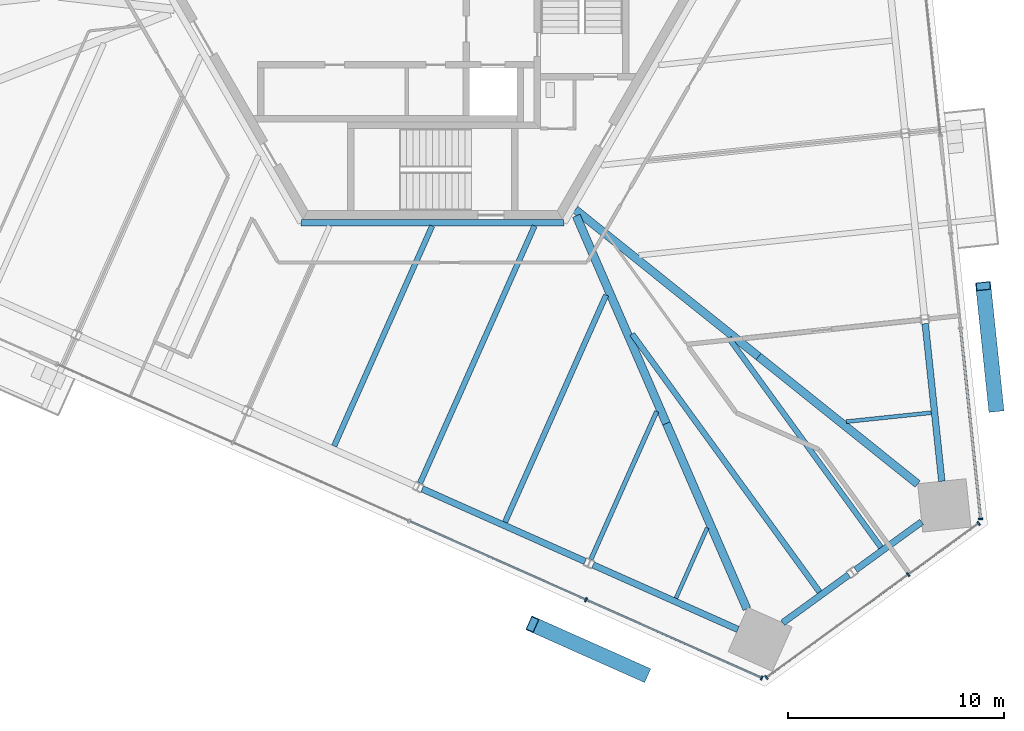
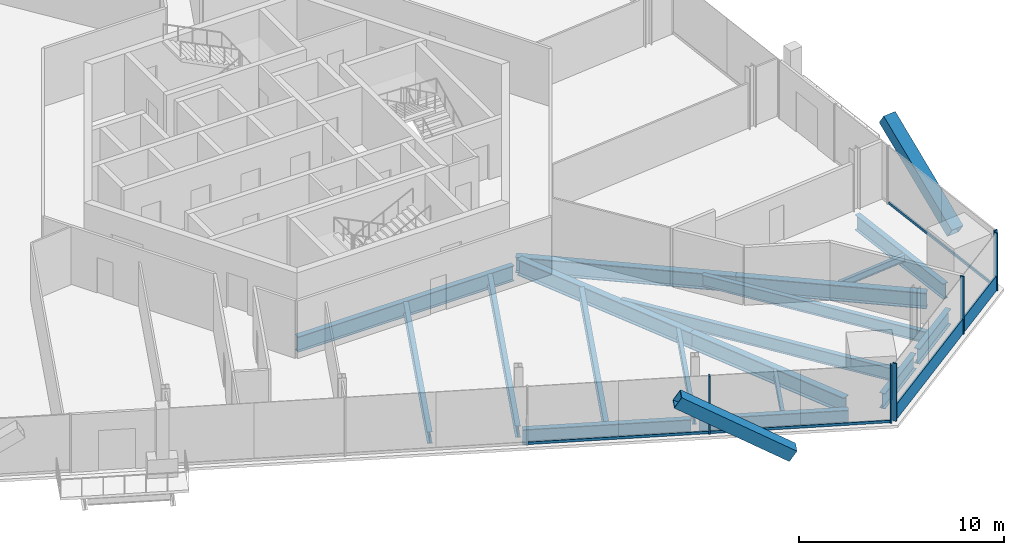
# One storey, part 5 of 17: 18 beams, 13 members, 3 elements without a shape of their own.
"""IFC4 building model written with IfcOpenShell, lengths in metres."""

from ifc_helpers import new_model, si_unit, direction, frame, origin, origin_2d, place, context, subcontext, project, spatial, rectangle, hollow_rectangle, i_section, extrude, source, transform, mapped, material, material_profile, profile_set, type_object, element, aggregate, save


model = new_model("IFC4")

# Units and contexts
model_context = context("Model", 3, precision=1e-05, world=origin(), true_north=direction((0.0, 1.0)))
body_context = subcontext(model_context, "Body", "Model", "MODEL_VIEW")
ifc_project = project(units=[si_unit("LENGTHUNIT", "METRE"), si_unit("AREAUNIT", "SQUARE_METRE"), si_unit("VOLUMEUNIT", "CUBIC_METRE"), si_unit("PLANEANGLEUNIT", "RADIAN"), si_unit("MASSUNIT", "GRAM", prefix="KILO")], contexts=[model_context])

# Site, building, storey
site_placement = place(None, origin())
site = spatial("IfcSite", under=ifc_project, at=site_placement, CompositionType="ELEMENT")
building_placement = place(site_placement, origin())
building = spatial("IfcBuilding", under=site, at=building_placement, Name="Triune Harvest Tower", CompositionType="ELEMENT")
storey_placement = place(building_placement, frame((0.0, 0.0, 62.10009765625)))
storey = spatial("IfcBuildingStorey", under=building, at=storey_placement, Name="L14", CompositionType="ELEMENT", Elevation=62.10009765625)

# Beams
ifc_material_1 = material(Name="Steel ASTM A992 Gr 50", Category="steel")
ifc_material_profile_1 = material_profile(ifc_material_1, i_section(OverallWidth=0.3046875, OverallDepth=0.914306640625, WebThickness=0.0166015625, FlangeThickness=0.02587890625, at=origin_2d()), Name="W36x160")
ifc_profile_set_1 = profile_set([ifc_material_profile_1], Name="Steel ASTM A992 Gr 50")
beam_type_1 = type_object("IfcBeamType", Name="CG-1 Core ring girder W36x160", PredefinedType="BEAM", material=ifc_profile_set_1)
shared_shape_1 = source(origin(), body_context, "Body", "SweptSolid", [
    extrude(i_section(OverallWidth=0.3046875, OverallDepth=0.914306640625, WebThickness=0.0166015625, FlangeThickness=0.02587890625, at=origin_2d()), origin(), (0.0, 0.0, 1.0), 12.17578125),
])
beam_1_placement = place(storey_placement, frame((-6.087890625, -10.544677734375, -0.6171875), z_axis=(1.0, 0.0, 0.0), x_axis=(0.0, 1.0, 0.0)))
element("IfcBeam", 1, at=beam_1_placement, inside=storey, type_object=beam_type_1, Name="beam/L14/CG5", PredefinedType="BEAM", context=body_context, shape_type="MappedRepresentation", body=[
    mapped(shared_shape_1, transform((0.0, 0.0, 0.0), scale=1.0)),
])
ifc_material_2 = material(Name="Steel ASTM A992 Gr 50", Category="steel")
ifc_material_profile_2 = material_profile(ifc_material_2, i_section(OverallWidth=0.383544921875, OverallDepth=0.9423828125, WebThickness=0.022216796875, FlangeThickness=0.039794921875, at=origin_2d()), Name="W36x232")
ifc_profile_set_2 = profile_set([ifc_material_profile_2], Name="Steel ASTM A992 Gr 50")
beam_type_2 = type_object("IfcBeamType", Name="HG-1 Hip girder W36x232", PredefinedType="BEAM", material=ifc_profile_set_2)
shared_shape_2 = source(origin(), body_context, "Body", "SweptSolid", [
    extrude(i_section(OverallWidth=0.383544921875, OverallDepth=0.9423828125, WebThickness=0.022216796875, FlangeThickness=0.039794921875, at=origin_2d()), origin(), (0.0, 0.0, 1.0), 10.8701171875),
])
beam_2_placement = place(storey_placement, frame((15.0908203125, -16.745849609375, -0.63134765625), z_axis=(-0.780344837212, 0.625349450337, 0.0), x_axis=(-0.625349450337, -0.780344837212, 0.0)))
element("IfcBeam", 2, at=beam_2_placement, inside=storey, type_object=beam_type_2, Name="beam/L14/HG2", PredefinedType="BEAM", context=body_context, shape_type="MappedRepresentation", body=[
    mapped(shared_shape_2, transform((0.0, 0.0, 0.0), scale=1.0)),
])
shared_shape_3 = source(origin(), body_context, "Body", "SweptSolid", [
    extrude(i_section(OverallWidth=0.383544921875, OverallDepth=0.9423828125, WebThickness=0.022216796875, FlangeThickness=0.039794921875, at=origin_2d()), origin(), (0.0, 0.0, 1.0), 10.48291015625),
])
beam_3_placement = place(storey_placement, frame((10.824462890625, -19.84521484375, -0.63134765625), z_axis=(-0.39806686292, 0.917356404374, 0.0), x_axis=(-0.917356404374, -0.39806686292, 0.0)))
element("IfcBeam", 3, at=beam_3_placement, inside=storey, type_object=beam_type_2, Name="beam/L14/HG8", PredefinedType="BEAM", context=body_context, shape_type="MappedRepresentation", body=[
    mapped(shared_shape_3, transform((0.0, 0.0, 0.0), scale=1.0)),
])
ifc_material_3 = material(Name="Steel ASTM A992 Gr 50", Category="steel")
ifc_material_profile_3 = material_profile(ifc_material_3, i_section(OverallWidth=0.3046875, OverallDepth=0.914306640625, WebThickness=0.0166015625, FlangeThickness=0.02587890625, at=origin_2d()), Name="W36x160")
ifc_profile_set_3 = profile_set([ifc_material_profile_3], Name="Steel ASTM A992 Gr 50")
beam_type_3 = type_object("IfcBeamType", Name="SB-1 Spandrel beam W36x160", PredefinedType="SPANDREL", material=ifc_profile_set_3)
shared_shape_4 = source(origin(), body_context, "Body", "SweptSolid", [
    extrude(i_section(OverallWidth=0.3046875, OverallDepth=0.914306640625, WebThickness=0.0166015625, FlangeThickness=0.02587890625, at=origin_2d()), origin(), (0.0, 0.0, 1.0), 7.337890625),
])
for number, where, z_axis, x_axis, name in (
    (4, (23.57568359375, -22.520751953125, -0.6171875), (-0.104539300002, 0.994520756322, 0.0), (-0.994520756322, -0.104539300002, 0.0), "beam/L14/SB1"),
    (5, (7.4296875, -26.396484375, -0.6171875), (0.913546560881, -0.406734165153, 0.0), (0.406734165153, 0.913546560881, 0.0), "beam/L14/SB22"),
):
    element("IfcBeam", number, at=place(storey_placement, frame(where, z_axis=z_axis, x_axis=x_axis)), inside=storey, type_object=beam_type_3, Name=name, PredefinedType="SPANDREL", context=body_context, shape_type="MappedRepresentation", body=[
        mapped(shared_shape_4, transform((0.0, 0.0, 0.0), scale=1.0)),
    ])
shared_shape_5 = source(origin(), body_context, "Body", "SweptSolid", [
    extrude(i_section(OverallWidth=0.3046875, OverallDepth=0.914306640625, WebThickness=0.0166015625, FlangeThickness=0.02587890625, at=origin_2d()), origin(), (0.0, 0.0, 1.0), 8.263427734375),
])
beam_4_placement = place(storey_placement, frame((-0.483642578125, -22.873291015625, -0.6171875), z_axis=(0.913544537455, -0.406738709846, 0.0), x_axis=(0.406738709846, 0.913544537455, 0.0)))
element("IfcBeam", 6, at=beam_4_placement, inside=storey, type_object=beam_type_3, Name="beam/L14/SB21", PredefinedType="SPANDREL", context=body_context, shape_type="MappedRepresentation", body=[
    mapped(shared_shape_5, transform((0.0, 0.0, 0.0), scale=1.0)),
])
shared_shape_6 = source(origin(), body_context, "Body", "SweptSolid", [
    extrude(i_section(OverallWidth=0.3046875, OverallDepth=0.914306640625, WebThickness=0.0166015625, FlangeThickness=0.02587890625, at=origin_2d()), origin(), (0.0, 0.0, 1.0), 3.77490234375),
])
for number, where, z_axis, x_axis, name in (
    (7, (16.2119140625, -29.0751953125, -0.6171875), (0.809026850732, 0.587771685942, 0.0), (-0.587771685942, 0.809026850732, 0.0), "beam/L14/SB23"),
    (8, (19.58837890625, -26.6220703125, -0.6171875), (0.809026850732, 0.587771685942, 0.0), (-0.587771685942, 0.809026850732, 0.0), "beam/L14/SB24"),
):
    element("IfcBeam", number, at=place(storey_placement, frame(where, z_axis=z_axis, x_axis=x_axis)), inside=storey, type_object=beam_type_3, Name=name, PredefinedType="SPANDREL", context=body_context, shape_type="MappedRepresentation", body=[
        mapped(shared_shape_6, transform((0.0, 0.0, 0.0), scale=1.0)),
    ])
shared_shape_7 = source(origin(), body_context, "Body", "SweptSolid", [
    extrude(i_section(OverallWidth=0.383544921875, OverallDepth=0.9423828125, WebThickness=0.022216796875, FlangeThickness=0.039794921875, at=origin_2d()), origin(), (0.0, 0.0, 1.0), 9.44091796875),
])
beam_5_placement = place(storey_placement, frame((22.4580078125, -22.649658203125, -0.63134765625), z_axis=(-0.780348817967, 0.625344482903, 0.0), x_axis=(-0.625344482903, -0.780348817967, 0.0)))
element("IfcBeam", 9, at=beam_5_placement, inside=storey, type_object=beam_type_2, Name="beam/L14/HG1", PredefinedType="BEAM", context=body_context, shape_type="MappedRepresentation", body=[
    mapped(shared_shape_7, transform((0.0, 0.0, 0.0), scale=1.0)),
])
shared_shape_8 = source(origin(), body_context, "Body", "SweptSolid", [
    extrude(i_section(OverallWidth=0.383544921875, OverallDepth=0.9423828125, WebThickness=0.022216796875, FlangeThickness=0.039794921875, at=origin_2d()), origin(), (0.0, 0.0, 1.0), 9.366943359375),
])
beam_6_placement = place(storey_placement, frame((14.552978515625, -28.43798828125, -0.63134765625), z_axis=(-0.398055044024, 0.917361532836, 0.0), x_axis=(-0.917361532836, -0.398055044024, 0.0)))
element("IfcBeam", 10, at=beam_6_placement, inside=storey, type_object=beam_type_2, Name="beam/L14/HG7", PredefinedType="BEAM", context=body_context, shape_type="MappedRepresentation", body=[
    mapped(shared_shape_8, transform((0.0, 0.0, 0.0), scale=1.0)),
])
ifc_material_4 = material(Name="Steel ASTM A992 Gr 50", Category="steel")
ifc_material_profile_4 = material_profile(ifc_material_4, i_section(OverallWidth=0.180908203125, OverallDepth=0.41650390625, WebThickness=0.010986328125, FlangeThickness=0.01806640625, at=origin_2d()), Name="W16x57")
ifc_profile_set_4 = profile_set([ifc_material_profile_4], Name="Steel ASTM A992 Gr 50")
beam_type_4 = type_object("IfcBeamType", Name="JT-1 Floor joist W16x57", PredefinedType="JOIST", material=ifc_profile_set_4)
shared_shape_9 = source(origin(), body_context, "Body", "SweptSolid", [
    extrude(i_section(OverallWidth=0.180908203125, OverallDepth=0.41650390625, WebThickness=0.010986328125, FlangeThickness=0.01806640625, at=origin_2d()), origin(), (0.0, 0.0, 1.0), 3.95068359375),
])
beam_7_placement = place(storey_placement, frame((23.089111328125, -19.34814453125, -0.368408203125), z_axis=(-0.994524737495, -0.104501418698, 0.0), x_axis=(0.104501418698, -0.994524737495, 0.0)))
element("IfcBeam", 11, at=beam_7_placement, inside=storey, type_object=beam_type_4, Name="beam/L14/JT1", PredefinedType="JOIST", context=body_context, shape_type="MappedRepresentation", body=[
    mapped(shared_shape_9, transform((0.0, 0.0, 0.0), scale=1.0)),
])
ifc_material_5 = material(Name="Steel ASTM A992 Gr 50", Category="steel")
ifc_material_profile_5 = material_profile(ifc_material_5, i_section(OverallWidth=0.253662109375, OverallDepth=0.683349609375, WebThickness=0.012451171875, FlangeThickness=0.01904296875, at=origin_2d()), Name="W27x94")
ifc_profile_set_5 = profile_set([ifc_material_profile_5], Name="Steel ASTM A992 Gr 50")
beam_type_5 = type_object("IfcBeamType", Name="JT-4 Floor joist W27x94", PredefinedType="JOIST", material=ifc_profile_set_5)
shared_shape_10 = source(origin(), body_context, "Body", "SweptSolid", [
    extrude(i_section(OverallWidth=0.253662109375, OverallDepth=0.683349609375, WebThickness=0.012451171875, FlangeThickness=0.01904296875, at=origin_2d()), origin(), (0.0, 0.0, 1.0), 11.51123046875),
])
beam_8_placement = place(storey_placement, frame((3.352783203125, -24.414794921875, -0.501708984375), z_axis=(0.406740530162, 0.91354372699, 0.0), x_axis=(-0.91354372699, 0.406740530162, 0.0)))
element("IfcBeam", 12, at=beam_8_placement, inside=storey, type_object=beam_type_5, Name="beam/L14/JT35", PredefinedType="JOIST", context=body_context, shape_type="MappedRepresentation", body=[
    mapped(shared_shape_10, transform((0.0, 0.0, 0.0), scale=1.0)),
])
shared_shape_11 = source(origin(), body_context, "Body", "SweptSolid", [
    extrude(i_section(OverallWidth=0.180908203125, OverallDepth=0.41650390625, WebThickness=0.010986328125, FlangeThickness=0.01806640625, at=origin_2d()), origin(), (0.0, 0.0, 1.0), 3.562255859375),
])
beam_9_placement = place(storey_placement, frame((11.26611328125, -27.93798828125, -0.368408203125), z_axis=(0.406767922158, 0.913531530656, 0.0), x_axis=(-0.913531530656, 0.406767922158, 0.0)))
element("IfcBeam", 13, at=beam_9_placement, inside=storey, type_object=beam_type_4, Name="beam/L14/JT37", PredefinedType="JOIST", context=body_context, shape_type="MappedRepresentation", body=[
    mapped(shared_shape_11, transform((0.0, 0.0, 0.0), scale=1.0)),
])
ifc_material_6 = material(Name="Steel ASTM A992 Gr 50", Category="steel")
ifc_material_profile_6 = material_profile(ifc_material_6, i_section(OverallWidth=0.2666015625, OverallDepth=0.7568359375, WebThickness=0.013916015625, FlangeThickness=0.019287109375, at=origin_2d()), Name="W30x108")
ifc_profile_set_6 = profile_set([ifc_material_profile_6], Name="Steel ASTM A992 Gr 50")
beam_type_6 = type_object("IfcBeamType", Name="JT-5 Floor joist W30x108", PredefinedType="JOIST", material=ifc_profile_set_6)
shared_shape_12 = source(origin(), body_context, "Body", "SweptSolid", [
    extrude(i_section(OverallWidth=0.2666015625, OverallDepth=0.7568359375, WebThickness=0.013916015625, FlangeThickness=0.019287109375, at=origin_2d()), origin(), (0.0, 0.0, 1.0), 14.766357421875),
])
beam_10_placement = place(storey_placement, frame((17.915283203125, -27.649169921875, -0.53857421875), z_axis=(-0.587783315485, 0.809018401544, 0.0), x_axis=(-0.809018401544, -0.587783315485, 0.0)))
element("IfcBeam", 14, at=beam_10_placement, inside=storey, type_object=beam_type_6, Name="beam/L14/JT38", PredefinedType="JOIST", context=body_context, shape_type="MappedRepresentation", body=[
    mapped(shared_shape_12, transform((0.0, 0.0, 0.0), scale=1.0)),
])
ifc_material_7 = material(Name="Steel ASTM A992 Gr 50", Category="steel")
ifc_material_profile_7 = material_profile(ifc_material_7, i_section(OverallWidth=0.2099609375, OverallDepth=0.535888671875, WebThickness=0.010986328125, FlangeThickness=0.017333984375, at=origin_2d()), Name="W21x68")
ifc_profile_set_7 = profile_set([ifc_material_profile_7], Name="Steel ASTM A992 Gr 50")
beam_type_7 = type_object("IfcBeamType", Name="JT-2 Floor joist W21x68", PredefinedType="JOIST", material=ifc_profile_set_7)
shared_shape_13 = source(origin(), body_context, "Body", "SweptSolid", [
    extrude(i_section(OverallWidth=0.2099609375, OverallDepth=0.535888671875, WebThickness=0.010986328125, FlangeThickness=0.017333984375, at=origin_2d()), origin(), (0.0, 0.0, 1.0), 7.4921875),
])
beam_11_placement = place(storey_placement, frame((7.32763671875, -26.1357421875, -0.427978515625), z_axis=(0.406737018568, 0.913545290463, 0.0), x_axis=(-0.913545290463, 0.406737018568, 0.0)))
element("IfcBeam", 15, at=beam_11_placement, inside=storey, type_object=beam_type_7, Name="beam/L14/JT36", PredefinedType="JOIST", context=body_context, shape_type="MappedRepresentation", body=[
    mapped(shared_shape_13, transform((0.0, 0.0, 0.0), scale=1.0)),
])
shared_shape_14 = source(origin(), body_context, "Body", "SweptSolid", [
    extrude(i_section(OverallWidth=0.253662109375, OverallDepth=0.683349609375, WebThickness=0.012451171875, FlangeThickness=0.01904296875, at=origin_2d()), origin(), (0.0, 0.0, 1.0), 11.159423828125),
])
beam_12_placement = place(storey_placement, frame((-4.560546875, -20.8916015625, -0.501708984375), z_axis=(0.406747338499, 0.913540695659, 0.0), x_axis=(-0.913540695659, 0.406747338499, 0.0)))
element("IfcBeam", 16, at=beam_12_placement, inside=storey, type_object=beam_type_5, Name="beam/L14/JT33", PredefinedType="JOIST", context=body_context, shape_type="MappedRepresentation", body=[
    mapped(shared_shape_14, transform((0.0, 0.0, 0.0), scale=1.0)),
])
shared_shape_15 = source(origin(), body_context, "Body", "SweptSolid", [
    extrude(i_section(OverallWidth=0.253662109375, OverallDepth=0.683349609375, WebThickness=0.012451171875, FlangeThickness=0.01904296875, at=origin_2d()), origin(), (0.0, 0.0, 1.0), 13.043212890625),
])
beam_13_placement = place(storey_placement, frame((-0.585693359375, -22.612548828125, -0.501708984375), z_axis=(0.40673927971, 0.913544283733, 0.0), x_axis=(-0.913544283733, 0.40673927971, 0.0)))
element("IfcBeam", 17, at=beam_13_placement, inside=storey, type_object=beam_type_5, Name="beam/L14/JT34", PredefinedType="JOIST", context=body_context, shape_type="MappedRepresentation", body=[
    mapped(shared_shape_15, transform((0.0, 0.0, 0.0), scale=1.0)),
])
shared_shape_16 = source(origin(), body_context, "Body", "SweptSolid", [
    extrude(i_section(OverallWidth=0.253662109375, OverallDepth=0.683349609375, WebThickness=0.012451171875, FlangeThickness=0.01904296875, at=origin_2d()), origin(), (0.0, 0.0, 1.0), 11.97802734375),
])
beam_14_placement = place(storey_placement, frame((20.759521484375, -25.582763671875, -0.501708984375), z_axis=(-0.587786239195, 0.809016277347, 0.0), x_axis=(-0.809016277347, -0.587786239195, 0.0)))
element("IfcBeam", 18, at=beam_14_placement, inside=storey, type_object=beam_type_5, Name="beam/L14/JT39", PredefinedType="JOIST", context=body_context, shape_type="MappedRepresentation", body=[
    mapped(shared_shape_16, transform((0.0, 0.0, 0.0), scale=1.0)),
])

# Members
ifc_material_8 = material(Name="Steel ASTM A572 Gr 50", Category="steel")
ifc_material_profile_8 = material_profile(ifc_material_8, hollow_rectangle(XDim=0.699951171875, YDim=0.699951171875, WallThickness=0.0400390625, at=origin_2d()), Name="Box 700x700x40")
ifc_profile_set_8 = profile_set([ifc_material_profile_8], Name="Steel ASTM A572 Gr 50")
member_type_1 = type_object("IfcMemberType", Name="BR-1 Brace Box 700x700x40", PredefinedType="BRACE", material=ifc_profile_set_8)
shared_shape_17 = source(origin(), body_context, "Body", "SweptSolid", [
    extrude(hollow_rectangle(XDim=0.699951171875, YDim=0.699951171875, WallThickness=0.0400390625, at=origin_2d()), origin(), (0.0, 0.0, 1.0), 6.7021484375),
])
for number, where, z_axis, x_axis, name in (
    (19, (26.088134765625, -19.108642578125, 0.0), (-0.088154221721, 0.838885773554, 0.537121487301), (-0.994523894921, -0.104509437045, 0.0), "brace/B2-F1/d1/2"),
    (20, (9.786376953125, -31.447021484375, 0.0), (-0.770584874927, 0.343073099747, 0.537121772752), (-0.406723393916, -0.913551356434, 0.0), "brace/B2-F5/d2/2"),
):
    element("IfcMember", number, at=place(storey_placement, frame(where, z_axis=z_axis, x_axis=x_axis)), inside=storey, type_object=member_type_1, Name=name, PredefinedType="BRACE", context=body_context, shape_type="MappedRepresentation", body=[
        mapped(shared_shape_17, transform((0.0, 0.0, 0.0), scale=1.0)),
    ])

# Curtain wall, members
ifc_material_9 = material(Name="Aluminium bronze anodised", Category="aluminium")
curtain_wall_type_1 = type_object("IfcCurtainWallType", Name="CW-1 Tower stick curtain wall", PredefinedType="NOTDEFINED", material=ifc_material_9)
curtain_wall_1_placement = place(storey_placement, origin())
curtain_wall_1 = element("IfcCurtainWall", 21, at=curtain_wall_1_placement, inside=storey, type_object=curtain_wall_type_1, Name="CW-1 B2-F6 L14 run 1")
ifc_material_10 = material(Name="Aluminium bronze anodised", Category="aluminium")
ifc_material_profile_9 = material_profile(ifc_material_10, rectangle(XDim=0.199951171875, YDim=0.074951171875, at=origin_2d()), Name="MU-1 mullion 75 x 200")
ifc_profile_set_9 = profile_set([ifc_material_profile_9], Name="Aluminium bronze anodised")
member_type_2 = type_object("IfcMemberType", Name="MU-1 mullion 75 x 200", PredefinedType="MULLION", material=ifc_profile_set_9)
shared_shape_18 = source(origin(), body_context, "Body", "SweptSolid", [
    extrude(rectangle(XDim=0.199951171875, YDim=0.074951171875, at=origin_2d()), origin(), (0.0, 0.0, 1.0), 3.43994140625),
])
member_1_placement = place(storey_placement, frame((15.457763671875, -31.607177734375, 0.0), z_axis=(0.0, 0.0, 1.0), x_axis=(-0.58779042564, 0.809013235692, 0.0)))
member_1 = element("IfcMember", 22, at=member_1_placement, type_object=member_type_2, Name="CW-1 mullion B2-F6 1.1", PredefinedType="MULLION", context=body_context, shape_type="MappedRepresentation", body=[
    mapped(shared_shape_18, transform((0.0, 0.0, 0.0), scale=1.0)),
])
member_2_placement = place(storey_placement, frame((22.018310546875, -26.8408203125, 0.0), z_axis=(0.0, 0.0, 1.0), x_axis=(-0.58779042564, 0.809013235692, 0.0)))
member_2 = element("IfcMember", 23, at=member_2_placement, type_object=member_type_2, Name="CW-1 mullion B2-F6 1.3", PredefinedType="MULLION", context=body_context, shape_type="MappedRepresentation", body=[
    mapped(shared_shape_18, transform((0.0, 0.0, 0.0), scale=1.0)),
])
member_3_placement = place(storey_placement, frame((25.283447265625, -24.468505859375, 0.0), z_axis=(0.0, 0.0, 1.0), x_axis=(-0.58779042564, 0.809013235692, 0.0)))
member_3 = element("IfcMember", 24, at=member_3_placement, type_object=member_type_2, Name="CW-1 mullion B2-F6 1.4", PredefinedType="MULLION", context=body_context, shape_type="MappedRepresentation", body=[
    mapped(shared_shape_18, transform((0.0, 0.0, 0.0), scale=1.0)),
])
ifc_material_11 = material(Name="Aluminium bronze anodised", Category="aluminium")
ifc_material_profile_10 = material_profile(ifc_material_11, rectangle(XDim=0.090087890625, YDim=0.89990234375, at=origin_2d()), Name="TR-1 transom 90 x 900")
ifc_profile_set_10 = profile_set([ifc_material_profile_10], Name="Aluminium bronze anodised")
member_type_3 = type_object("IfcMemberType", Name="TR-1 transom 90 x 900", PredefinedType="USERDEFINED", material=ifc_profile_set_10)
shared_shape_19 = source(origin(), body_context, "Body", "SweptSolid", [
    extrude(rectangle(XDim=0.090087890625, YDim=0.89990234375, at=origin_2d()), origin(), (0.0, 0.0, 1.0), 8.0341796875),
])
member_4_placement = place(storey_placement, frame((15.48828125, -31.585205078125, 0.449951171875), z_axis=(0.809013262196, 0.587790389162, 0.0), x_axis=(-0.587790389162, 0.809013262196, 0.0)))
member_4 = element("IfcMember", 25, at=member_4_placement, type_object=member_type_3, Name="CW-1 transom B2-F6 1.1", ObjectType="TRANSOM", PredefinedType="USERDEFINED", context=body_context, shape_type="MappedRepresentation", body=[
    mapped(shared_shape_19, transform((0.0, 0.0, 0.0), scale=1.0)),
])
shared_shape_20 = source(origin(), body_context, "Body", "SweptSolid", [
    extrude(rectangle(XDim=0.090087890625, YDim=0.89990234375, at=origin_2d()), origin(), (0.0, 0.0, 1.0), 3.9609375),
])
member_5_placement = place(storey_placement, frame((22.048583984375, -26.818603515625, 0.449951171875), z_axis=(0.809034498415, 0.587761159294, 0.0), x_axis=(-0.587761159294, 0.809034498415, 0.0)))
member_5 = element("IfcMember", 26, at=member_5_placement, type_object=member_type_3, Name="CW-1 transom B2-F6 1.2", ObjectType="TRANSOM", PredefinedType="USERDEFINED", context=body_context, shape_type="MappedRepresentation", body=[
    mapped(shared_shape_20, transform((0.0, 0.0, 0.0), scale=1.0)),
])
aggregate(curtain_wall_1, [member_1, member_2, member_3, member_4, member_5])

# Curtain wall, member
ifc_material_12 = material(Name="Aluminium bronze anodised", Category="aluminium")
curtain_wall_type_2 = type_object("IfcCurtainWallType", Name="CW-10 Balcony window wall with insulated spandrel infill", PredefinedType="NOTDEFINED", material=ifc_material_12)
curtain_wall_2_placement = place(storey_placement, origin())
curtain_wall_2 = element("IfcCurtainWall", 27, at=curtain_wall_2_placement, inside=storey, type_object=curtain_wall_type_2, Name="CW-10 B2-F1 L14 run 1")
ifc_material_13 = material(Name="Aluminium bronze anodised", Category="aluminium")
ifc_material_profile_11 = material_profile(ifc_material_13, rectangle(XDim=0.199951171875, YDim=0.074951171875, at=origin_2d()), Name="MU-6 mullion 75 x 200")
ifc_profile_set_11 = profile_set([ifc_material_profile_11], Name="Aluminium bronze anodised")
member_type_4 = type_object("IfcMemberType", Name="MU-6 mullion 75 x 200", PredefinedType="MULLION", material=ifc_profile_set_11)
shared_shape_21 = source(origin(), body_context, "Body", "SweptSolid", [
    extrude(rectangle(XDim=0.199951171875, YDim=0.074951171875, at=origin_2d()), origin(), (0.0, 0.0, 1.0), 3.43994140625),
])
member_6_placement = place(storey_placement, frame((25.373291015625, -24.2666015625, 0.0), z_axis=(0.0, 0.0, 1.0), x_axis=(-0.994521992769, -0.104527536558, 0.0)))
member_6 = element("IfcMember", 28, at=member_6_placement, type_object=member_type_4, Name="CW-10 mullion B2-F1 1.1", PredefinedType="MULLION", context=body_context, shape_type="MappedRepresentation", body=[
    mapped(shared_shape_21, transform((0.0, 0.0, 0.0), scale=1.0)),
])

# Curtain wall, members
ifc_material_14 = material(Name="Aluminium bronze anodised", Category="aluminium")
curtain_wall_type_3 = type_object("IfcCurtainWallType", Name="CW-6 Balcony window wall", PredefinedType="NOTDEFINED", material=ifc_material_14)
curtain_wall_3_placement = place(storey_placement, origin())
curtain_wall_3 = element("IfcCurtainWall", 29, at=curtain_wall_3_placement, inside=storey, type_object=curtain_wall_type_3, Name="CW-6 B2-F5 L14 run 2")
member_7_placement = place(storey_placement, frame((7.097412109375, -28.005859375, 0.0), z_axis=(0.0, 0.0, 1.0), x_axis=(0.406737205721, 0.913545207137, 0.0)))
member_7 = element("IfcMember", 30, at=member_7_placement, type_object=member_type_4, Name="CW-6 mullion B2-F5 2.7", PredefinedType="MULLION", context=body_context, shape_type="MappedRepresentation", body=[
    mapped(shared_shape_21, transform((0.0, 0.0, 0.0), scale=1.0)),
])
member_8_placement = place(storey_placement, frame((15.23828125, -31.63037109375, 0.0), z_axis=(0.0, 0.0, 1.0), x_axis=(0.406737205721, 0.913545207137, 0.0)))
member_8 = element("IfcMember", 31, at=member_8_placement, type_object=member_type_4, Name="CW-6 mullion B2-F5 2.9", PredefinedType="MULLION", context=body_context, shape_type="MappedRepresentation", body=[
    mapped(shared_shape_21, transform((0.0, 0.0, 0.0), scale=1.0)),
])

# Member
ifc_material_15 = material(Name="Aluminium bronze anodised", Category="aluminium")
ifc_material_profile_12 = material_profile(ifc_material_15, rectangle(XDim=0.090087890625, YDim=0.14990234375, at=origin_2d()), Name="TR-6 transom 90 x 150")
ifc_profile_set_12 = profile_set([ifc_material_profile_12], Name="Aluminium bronze anodised")
member_type_5 = type_object("IfcMemberType", Name="TR-6 transom 90 x 150", PredefinedType="USERDEFINED", material=ifc_profile_set_12)
shared_shape_22 = source(origin(), body_context, "Body", "SweptSolid", [
    extrude(rectangle(XDim=0.090087890625, YDim=0.14990234375, at=origin_2d()), origin(), (0.0, 0.0, 1.0), 8.798583984375),
])
member_9_placement = place(storey_placement, frame((25.369384765625, -24.2294921875, 0.074951171875), z_axis=(-0.104524456399, 0.994522316499, 0.0), x_axis=(-0.994522316499, -0.104524456399, 0.0)))
member_9 = element("IfcMember", 32, at=member_9_placement, type_object=member_type_5, Name="CW-10 transom B2-F1 1.1", ObjectType="TRANSOM", PredefinedType="USERDEFINED", context=body_context, shape_type="MappedRepresentation", body=[
    mapped(shared_shape_22, transform((0.0, 0.0, 0.0), scale=1.0)),
])

aggregate(curtain_wall_2, [member_6, member_9])

shared_shape_23 = source(origin(), body_context, "Body", "SweptSolid", [
    extrude(rectangle(XDim=0.090087890625, YDim=0.14990234375, at=origin_2d()), origin(), (0.0, 0.0, 1.0), 8.87353515625),
])
member_10_placement = place(storey_placement, frame((-1.043212890625, -24.38134765625, 0.074951171875), z_axis=(0.913549273569, -0.406728072256, 0.0), x_axis=(0.406728072256, 0.913549273569, 0.0)))
member_10 = element("IfcMember", 33, at=member_10_placement, type_object=member_type_5, Name="CW-6 transom B2-F5 2.3", ObjectType="TRANSOM", PredefinedType="USERDEFINED", context=body_context, shape_type="MappedRepresentation", body=[
    mapped(shared_shape_23, transform((0.0, 0.0, 0.0), scale=1.0)),
])

shared_shape_24 = source(origin(), body_context, "Body", "SweptSolid", [
    extrude(rectangle(XDim=0.090087890625, YDim=0.14990234375, at=origin_2d()), origin(), (0.0, 0.0, 1.0), 8.8359375),
])
member_11_placement = place(storey_placement, frame((7.1318359375, -28.02099609375, 0.074951171875), z_axis=(0.913541310092, -0.406745958499, 0.0), x_axis=(0.406745958499, 0.913541310092, 0.0)))
member_11 = element("IfcMember", 34, at=member_11_placement, type_object=member_type_5, Name="CW-6 transom B2-F5 2.4", ObjectType="TRANSOM", PredefinedType="USERDEFINED", context=body_context, shape_type="MappedRepresentation", body=[
    mapped(shared_shape_24, transform((0.0, 0.0, 0.0), scale=1.0)),
])

aggregate(curtain_wall_3, [member_7, member_8, member_10, member_11])

save(model, "model.ifc")
